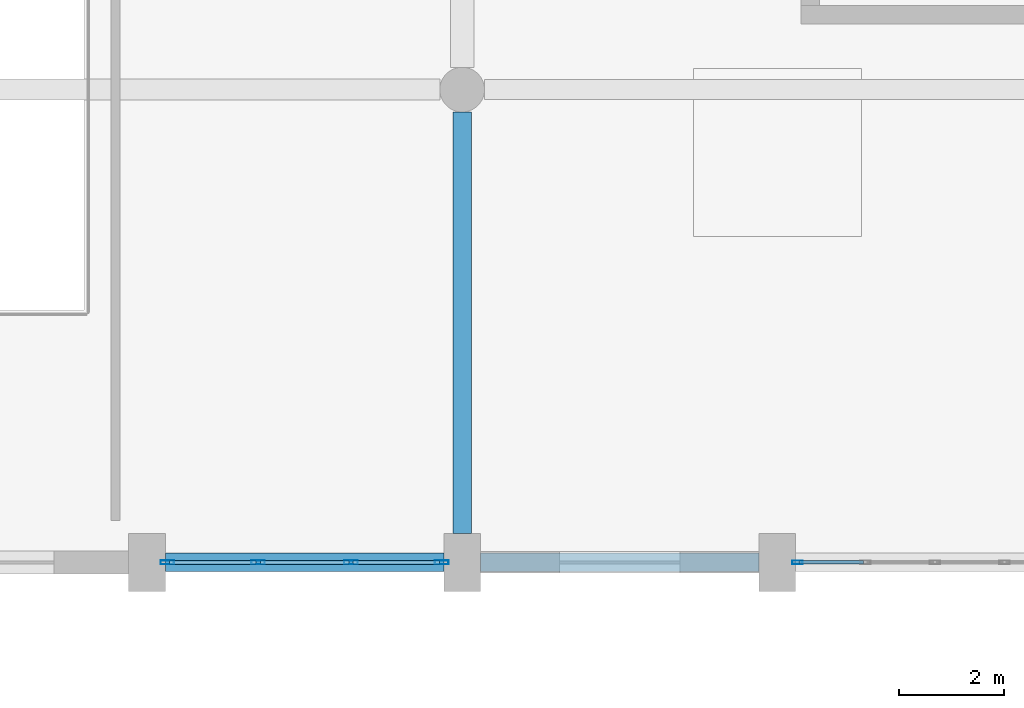
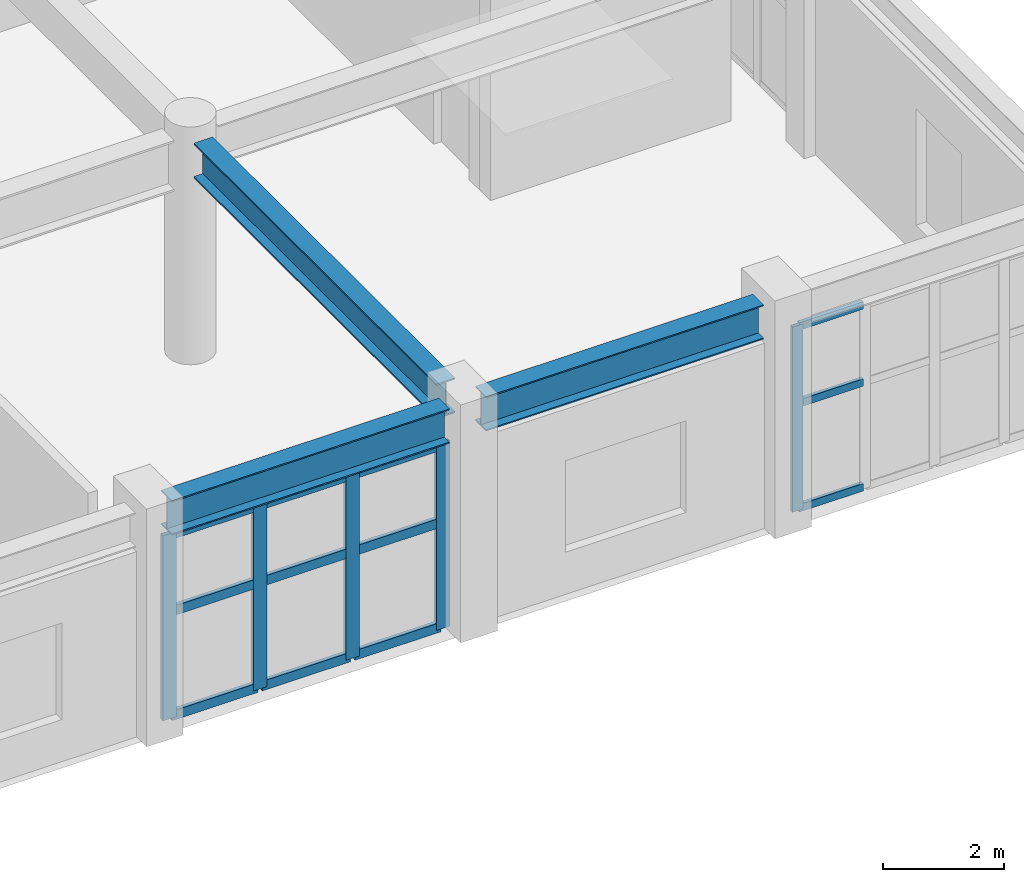
# One storey, part 23 of 96: 17 members, 3 beams, 2 elements without a shape of their own.
"""IFC4 building model written with IfcOpenShell, lengths in metres."""

from ifc_helpers import new_model, si_unit, direction, frame, origin, origin_2d, place, context, subcontext, project, spatial, hollow_rectangle, i_section, extrude, material, layer, layer_set, material_profile, profile_set, type_object, element, aggregate, save


model = new_model("IFC4")

# Units and contexts
model_context = context("Model", 3, precision=1e-05, world=origin(), true_north=direction((0.0, 1.0)))
body_context = subcontext(model_context, "Body", "Model", "MODEL_VIEW")
ifc_project = project(units=[si_unit("LENGTHUNIT", "METRE"), si_unit("AREAUNIT", "SQUARE_METRE"), si_unit("VOLUMEUNIT", "CUBIC_METRE"), si_unit("PLANEANGLEUNIT", "RADIAN"), si_unit("MASSUNIT", "GRAM", prefix="KILO")], contexts=[model_context])

# Site, building, storey
site_placement = place(None, origin())
site = spatial("IfcSite", under=ifc_project, at=site_placement, CompositionType="ELEMENT")
building_placement = place(site_placement, origin())
building = spatial("IfcBuilding", under=site, at=building_placement, Name="Vaelkrest Opera House", CompositionType="ELEMENT")
storey_placement = place(building_placement, frame((0.0, 0.0, 5.39990234375)))
storey = spatial("IfcBuildingStorey", under=building, at=storey_placement, Name="L01", CompositionType="ELEMENT", Elevation=5.39990234375)

# Beam
ifc_material_1 = material(Name="Steel A992 Gr50", Category="steel")
ifc_material_profile_1 = material_profile(ifc_material_1, i_section(OverallWidth=0.35791015625, OverallDepth=0.7060546875, WebThickness=0.018310546875, FlangeThickness=0.0302734375, at=origin_2d()), Name="W27X178")
ifc_profile_set_1 = profile_set([ifc_material_profile_1], Name="Steel A992 Gr50")
beam_type_1 = type_object("IfcBeamType", Name="B14", PredefinedType="BEAM", material=ifc_profile_set_1)
beam_placement = place(storey_placement, frame((18.0, -55.25, 4.147216796875), z_axis=(0.0, 1.0, 0.0), x_axis=(-1.0, 0.0, 0.0)))
element("IfcBeam", 1, at=beam_placement, inside=storey, type_object=beam_type_1, Name="Beam BM-V1-L01-0278", PredefinedType="BEAM", context=body_context, shape_type="SweptSolid", body=[
    extrude(i_section(OverallWidth=0.35791015625, OverallDepth=0.7060546875, WebThickness=0.018310546875, FlangeThickness=0.0302734375, at=origin_2d()), origin(), (0.0, 0.0, 1.0), 8.02490234375),
])

# Curtain wall, member
ifc_material_2 = material(Name="Dark bronze anodized aluminium", Category="aluminium")
ifc_layer_1 = layer(ifc_material_2, 0.18994140625)
ifc_layer_set_1 = layer_set([ifc_layer_1], Name="Dark bronze anodized aluminium")
curtain_wall_type_1 = type_object("IfcCurtainWallType", Name="CW02", PredefinedType="NOTDEFINED", material=ifc_layer_set_1)
curtain_wall_1_placement = place(storey_placement, origin())
curtain_wall_1 = element("IfcCurtainWall", 2, at=curtain_wall_1_placement, inside=storey, type_object=curtain_wall_type_1, Name="Curtain wall CW-L01-020", PredefinedType="NOTDEFINED")
ifc_material_profile_2 = material_profile(ifc_material_2, hollow_rectangle(XDim=0.070068359375, YDim=0.199951171875, WallThickness=0.004150390625, at=origin_2d()), Name="CWM70X200")
ifc_profile_set_2 = profile_set([ifc_material_profile_2], Name="Dark bronze anodized aluminium")
member_type_1 = type_object("IfcMemberType", Name="CWM02", PredefinedType="MULLION", material=ifc_profile_set_2)
member_1_placement = place(storey_placement, frame((24.383056640625, -55.800048828125, 0.0), z_axis=(0.0, 0.0, 1.0), x_axis=(0.0, -1.0, 0.0)))
member_1 = element("IfcMember", 3, at=member_1_placement, type_object=member_type_1, Name="CW02 mullion 5", PredefinedType="MULLION", context=body_context, shape_type="SweptSolid", body=[
    extrude(hollow_rectangle(XDim=0.070068359375, YDim=0.199951171875, WallThickness=0.004150390625, at=origin_2d()), origin(), (0.0, 0.0, 1.0), 3.739990234375),
])

# Curtain wall, members
ifc_layer_2 = layer(ifc_material_2, 0.2099609375)
ifc_layer_set_2 = layer_set([ifc_layer_2], Name="Dark bronze anodized aluminium")
curtain_wall_type_2 = type_object("IfcCurtainWallType", Name="CW04", PredefinedType="NOTDEFINED", material=ifc_layer_set_2)
curtain_wall_2_placement = place(storey_placement, origin())
curtain_wall_2 = element("IfcCurtainWall", 4, at=curtain_wall_2_placement, inside=storey, type_object=curtain_wall_type_2, Name="Curtain wall CW-L01-021", PredefinedType="NOTDEFINED")
ifc_material_profile_3 = material_profile(ifc_material_2, hollow_rectangle(XDim=0.080078125, YDim=0.260009765625, WallThickness=0.0048828125, at=origin_2d()), Name="CWM80X260")
ifc_profile_set_3 = profile_set([ifc_material_profile_3], Name="Dark bronze anodized aluminium")
member_type_2 = type_object("IfcMemberType", Name="CWM04", PredefinedType="MULLION", material=ifc_profile_set_3)
member_2_placement = place(storey_placement, frame((17.612060546875, -55.800048828125, 0.0), z_axis=(0.0, 0.0, 1.0), x_axis=(0.0, -1.0, 0.0)))
member_2 = element("IfcMember", 5, at=member_2_placement, type_object=member_type_2, Name="CW04 mullion 1", PredefinedType="MULLION", context=body_context, shape_type="SweptSolid", body=[
    extrude(hollow_rectangle(XDim=0.080078125, YDim=0.260009765625, WallThickness=0.0048828125, at=origin_2d()), origin(), (0.0, 0.0, 1.0), 3.739990234375),
])
member_3_placement = place(storey_placement, frame((15.884033203125, -55.800048828125, 0.0), z_axis=(0.0, 0.0, 1.0), x_axis=(0.0, -1.0, 0.0)))
member_3 = element("IfcMember", 6, at=member_3_placement, type_object=member_type_2, Name="CW04 mullion 2", PredefinedType="MULLION", context=body_context, shape_type="SweptSolid", body=[
    extrude(hollow_rectangle(XDim=0.080078125, YDim=0.260009765625, WallThickness=0.0048828125, at=origin_2d()), origin(), (0.0, 0.0, 1.0), 3.739990234375),
])
member_4_placement = place(storey_placement, frame((14.115966796875, -55.800048828125, 0.0), z_axis=(0.0, 0.0, 1.0), x_axis=(0.0, -1.0, 0.0)))
member_4 = element("IfcMember", 7, at=member_4_placement, type_object=member_type_2, Name="CW04 mullion 3", PredefinedType="MULLION", context=body_context, shape_type="SweptSolid", body=[
    extrude(hollow_rectangle(XDim=0.080078125, YDim=0.260009765625, WallThickness=0.0048828125, at=origin_2d()), origin(), (0.0, 0.0, 1.0), 3.739990234375),
])
member_5_placement = place(storey_placement, frame((12.387939453125, -55.800048828125, 0.0), z_axis=(0.0, 0.0, 1.0), x_axis=(0.0, -1.0, 0.0)))
member_5 = element("IfcMember", 8, at=member_5_placement, type_object=member_type_2, Name="CW04 mullion 4", PredefinedType="MULLION", context=body_context, shape_type="SweptSolid", body=[
    extrude(hollow_rectangle(XDim=0.080078125, YDim=0.260009765625, WallThickness=0.0048828125, at=origin_2d()), origin(), (0.0, 0.0, 1.0), 3.739990234375),
])

# Member
ifc_material_profile_4 = material_profile(ifc_material_2, hollow_rectangle(XDim=0.070068359375, YDim=0.14990234375, WallThickness=0.004150390625, at=origin_2d()), Name="CWT70X150")
ifc_profile_set_4 = profile_set([ifc_material_profile_4], Name="Dark bronze anodized aluminium")
member_type_3 = type_object("IfcMemberType", Name="CWT02", PredefinedType="USERDEFINED", material=ifc_profile_set_4)
member_6_placement = place(storey_placement, frame((25.638916015625, -55.800048828125, 0.03515625), z_axis=(-1.0, 0.0, 0.0), x_axis=(0.0, -1.0, 0.0)))
member_6 = element("IfcMember", 9, at=member_6_placement, type_object=member_type_3, Name="CW02 transom 4.1", ObjectType="TRANSOM", PredefinedType="USERDEFINED", context=body_context, shape_type="SweptSolid", body=[
    extrude(hollow_rectangle(XDim=0.070068359375, YDim=0.14990234375, WallThickness=0.004150390625, at=origin_2d()), origin(), (0.0, 0.0, 1.0), 1.220947265625),
])

member_7_placement = place(storey_placement, frame((25.638916015625, -55.800048828125, 2.150146484375), z_axis=(-1.0, 0.0, 0.0), x_axis=(0.0, -1.0, 0.0)))
member_7 = element("IfcMember", 10, at=member_7_placement, type_object=member_type_3, Name="CW02 transom 4.2", ObjectType="TRANSOM", PredefinedType="USERDEFINED", context=body_context, shape_type="SweptSolid", body=[
    extrude(hollow_rectangle(XDim=0.070068359375, YDim=0.14990234375, WallThickness=0.004150390625, at=origin_2d()), origin(), (0.0, 0.0, 1.0), 1.220947265625),
])

member_8_placement = place(storey_placement, frame((25.638916015625, -55.800048828125, 3.705078125), z_axis=(-1.0, 0.0, 0.0), x_axis=(0.0, -1.0, 0.0)))
member_8 = element("IfcMember", 11, at=member_8_placement, type_object=member_type_3, Name="CW02 transom 4.3", ObjectType="TRANSOM", PredefinedType="USERDEFINED", context=body_context, shape_type="SweptSolid", body=[
    extrude(hollow_rectangle(XDim=0.070068359375, YDim=0.14990234375, WallThickness=0.004150390625, at=origin_2d()), origin(), (0.0, 0.0, 1.0), 1.220947265625),
])

aggregate(curtain_wall_1, [member_1, member_6, member_7, member_8])

ifc_material_profile_5 = material_profile(ifc_material_2, hollow_rectangle(XDim=0.080078125, YDim=0.18994140625, WallThickness=0.0048828125, at=origin_2d()), Name="CWT80X190")
ifc_profile_set_5 = profile_set([ifc_material_profile_5], Name="Dark bronze anodized aluminium")
member_type_4 = type_object("IfcMemberType", Name="CWT04", PredefinedType="USERDEFINED", material=ifc_profile_set_5)
member_9_placement = place(storey_placement, frame((17.572021484375, -55.800048828125, 0.0400390625), z_axis=(-1.0, 0.0, 0.0), x_axis=(0.0, -1.0, 0.0)))
member_9 = element("IfcMember", 12, at=member_9_placement, type_object=member_type_4, Name="CW04 transom 1.1", ObjectType="TRANSOM", PredefinedType="USERDEFINED", context=body_context, shape_type="SweptSolid", body=[
    extrude(hollow_rectangle(XDim=0.080078125, YDim=0.18994140625, WallThickness=0.0048828125, at=origin_2d()), origin(), (0.0, 0.0, 1.0), 1.64794921875),
])

member_10_placement = place(storey_placement, frame((17.572021484375, -55.800048828125, 2.150146484375), z_axis=(-1.0, 0.0, 0.0), x_axis=(0.0, -1.0, 0.0)))
member_10 = element("IfcMember", 13, at=member_10_placement, type_object=member_type_4, Name="CW04 transom 1.2", ObjectType="TRANSOM", PredefinedType="USERDEFINED", context=body_context, shape_type="SweptSolid", body=[
    extrude(hollow_rectangle(XDim=0.080078125, YDim=0.18994140625, WallThickness=0.0048828125, at=origin_2d()), origin(), (0.0, 0.0, 1.0), 1.64794921875),
])

member_11_placement = place(storey_placement, frame((17.572021484375, -55.800048828125, 3.7001953125), z_axis=(-1.0, 0.0, 0.0), x_axis=(0.0, -1.0, 0.0)))
member_11 = element("IfcMember", 14, at=member_11_placement, type_object=member_type_4, Name="CW04 transom 1.3", ObjectType="TRANSOM", PredefinedType="USERDEFINED", context=body_context, shape_type="SweptSolid", body=[
    extrude(hollow_rectangle(XDim=0.080078125, YDim=0.18994140625, WallThickness=0.0048828125, at=origin_2d()), origin(), (0.0, 0.0, 1.0), 1.64794921875),
])

member_12_placement = place(storey_placement, frame((15.843994140625, -55.800048828125, 0.0400390625), z_axis=(-1.0, 0.0, 0.0), x_axis=(0.0, -1.0, 0.0)))
member_12 = element("IfcMember", 15, at=member_12_placement, type_object=member_type_4, Name="CW04 transom 2.1", ObjectType="TRANSOM", PredefinedType="USERDEFINED", context=body_context, shape_type="SweptSolid", body=[
    extrude(hollow_rectangle(XDim=0.080078125, YDim=0.18994140625, WallThickness=0.0048828125, at=origin_2d()), origin(), (0.0, 0.0, 1.0), 1.68798828125),
])

member_13_placement = place(storey_placement, frame((15.843994140625, -55.800048828125, 2.150146484375), z_axis=(-1.0, 0.0, 0.0), x_axis=(0.0, -1.0, 0.0)))
member_13 = element("IfcMember", 16, at=member_13_placement, type_object=member_type_4, Name="CW04 transom 2.2", ObjectType="TRANSOM", PredefinedType="USERDEFINED", context=body_context, shape_type="SweptSolid", body=[
    extrude(hollow_rectangle(XDim=0.080078125, YDim=0.18994140625, WallThickness=0.0048828125, at=origin_2d()), origin(), (0.0, 0.0, 1.0), 1.68798828125),
])

member_14_placement = place(storey_placement, frame((15.843994140625, -55.800048828125, 3.7001953125), z_axis=(-1.0, 0.0, 0.0), x_axis=(0.0, -1.0, 0.0)))
member_14 = element("IfcMember", 17, at=member_14_placement, type_object=member_type_4, Name="CW04 transom 2.3", ObjectType="TRANSOM", PredefinedType="USERDEFINED", context=body_context, shape_type="SweptSolid", body=[
    extrude(hollow_rectangle(XDim=0.080078125, YDim=0.18994140625, WallThickness=0.0048828125, at=origin_2d()), origin(), (0.0, 0.0, 1.0), 1.68798828125),
])

member_15_placement = place(storey_placement, frame((14.075927734375, -55.800048828125, 0.0400390625), z_axis=(-1.0, 0.0, 0.0), x_axis=(0.0, -1.0, 0.0)))
member_15 = element("IfcMember", 18, at=member_15_placement, type_object=member_type_4, Name="CW04 transom 3.1", ObjectType="TRANSOM", PredefinedType="USERDEFINED", context=body_context, shape_type="SweptSolid", body=[
    extrude(hollow_rectangle(XDim=0.080078125, YDim=0.18994140625, WallThickness=0.0048828125, at=origin_2d()), origin(), (0.0, 0.0, 1.0), 1.64794921875),
])

member_16_placement = place(storey_placement, frame((14.075927734375, -55.800048828125, 2.150146484375), z_axis=(-1.0, 0.0, 0.0), x_axis=(0.0, -1.0, 0.0)))
member_16 = element("IfcMember", 19, at=member_16_placement, type_object=member_type_4, Name="CW04 transom 3.2", ObjectType="TRANSOM", PredefinedType="USERDEFINED", context=body_context, shape_type="SweptSolid", body=[
    extrude(hollow_rectangle(XDim=0.080078125, YDim=0.18994140625, WallThickness=0.0048828125, at=origin_2d()), origin(), (0.0, 0.0, 1.0), 1.64794921875),
])

member_17_placement = place(storey_placement, frame((14.075927734375, -55.800048828125, 3.7001953125), z_axis=(-1.0, 0.0, 0.0), x_axis=(0.0, -1.0, 0.0)))
member_17 = element("IfcMember", 20, at=member_17_placement, type_object=member_type_4, Name="CW04 transom 3.3", ObjectType="TRANSOM", PredefinedType="USERDEFINED", context=body_context, shape_type="SweptSolid", body=[
    extrude(hollow_rectangle(XDim=0.080078125, YDim=0.18994140625, WallThickness=0.0048828125, at=origin_2d()), origin(), (0.0, 0.0, 1.0), 1.64794921875),
])

aggregate(curtain_wall_2, [member_2, member_3, member_4, member_5, member_9, member_10, member_11, member_12, member_13, member_14, member_15, member_16, member_17])

# Beams
ifc_material_profile_6 = material_profile(ifc_material_1, i_section(OverallWidth=0.35498046875, OverallDepth=0.695068359375, WebThickness=0.015380859375, FlangeThickness=0.02490234375, at=origin_2d()), Name="W27X146")
ifc_profile_set_6 = profile_set([ifc_material_profile_6], Name="Steel A992 Gr50")
beam_type_2 = type_object("IfcBeamType", Name="SP02", PredefinedType="SPANDREL", material=ifc_profile_set_6)
for number, where, z_axis, x_axis, name in (
    (21, (12.35009765625, -55.800048828125, 4.152587890625), (1.0, 0.0, 0.0), (0.0, 1.0, 0.0), "Beam BM-V1-L01-0212"),
    (22, (18.35009765625, -55.800048828125, 4.152587890625), (1.0, 0.0, 0.0), (0.0, 1.0, 0.0), "Beam BM-V1-L01-0213"),
):
    element("IfcBeam", number, at=place(storey_placement, frame(where, z_axis=z_axis, x_axis=x_axis)), inside=storey, type_object=beam_type_2, Name=name, PredefinedType="SPANDREL", context=body_context, shape_type="SweptSolid", body=[
        extrude(i_section(OverallWidth=0.35498046875, OverallDepth=0.695068359375, WebThickness=0.015380859375, FlangeThickness=0.02490234375, at=origin_2d()), origin(), (0.0, 0.0, 1.0), 5.2998046875),
    ])

save(model, "model.ifc")
